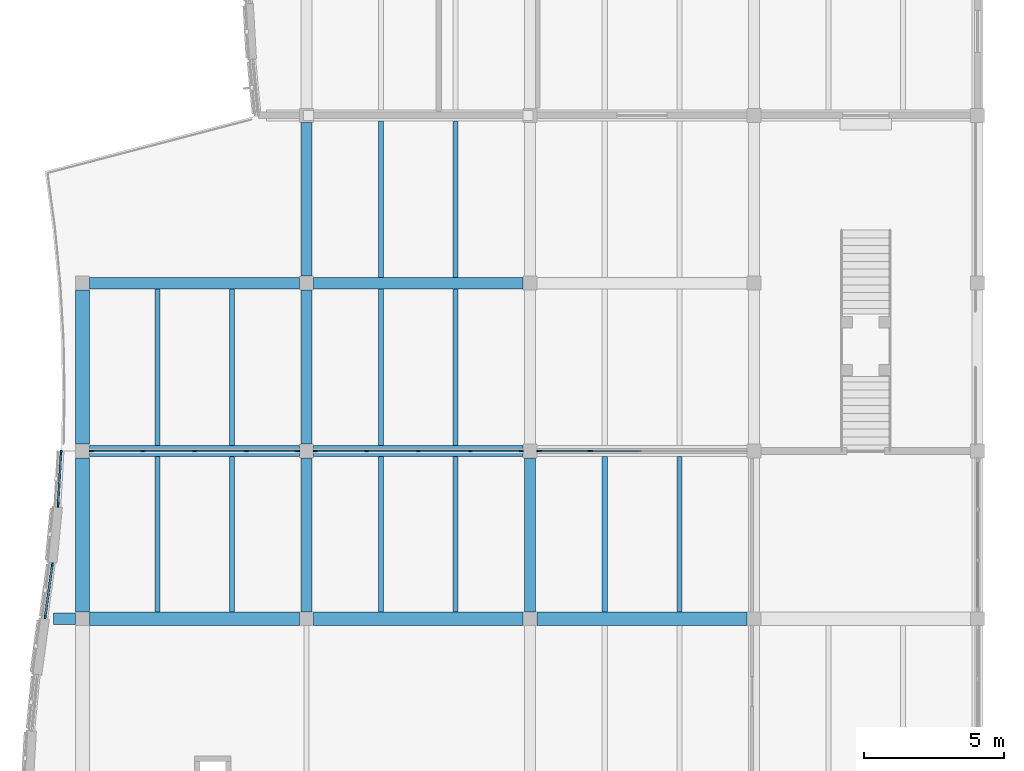
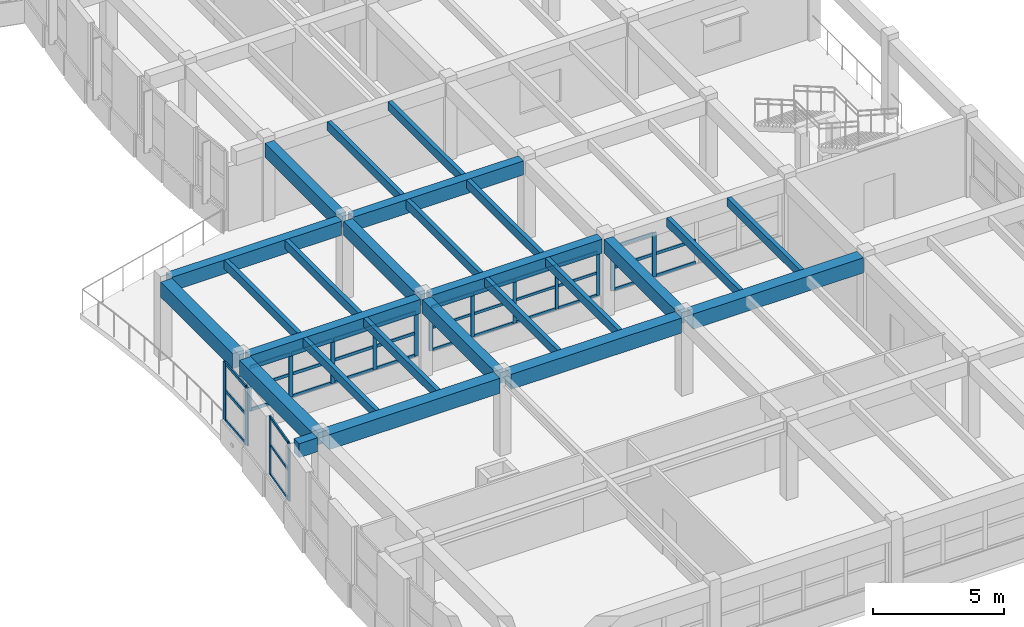
# One storey, part 6 of 89: 51 members, 26 beams, 5 elements without a shape of their own.
"""IFC4 building model written with IfcOpenShell, lengths in metres."""

from ifc_helpers import new_model, si_unit, direction, frame, origin, origin_2d, place, context, subcontext, project, spatial, rectangle, extrude, material, layer, layer_set, material_profile, profile_set, type_object, element, aggregate, save


model = new_model("IFC4")

# Units and contexts
model_context = context("Model", 3, precision=1e-05, world=origin(), true_north=direction((0.0, 1.0)))
body_context = subcontext(model_context, "Body", "Model", "MODEL_VIEW")
ifc_project = project(units=[si_unit("LENGTHUNIT", "METRE"), si_unit("AREAUNIT", "SQUARE_METRE"), si_unit("VOLUMEUNIT", "CUBIC_METRE"), si_unit("PLANEANGLEUNIT", "RADIAN"), si_unit("MASSUNIT", "GRAM", prefix="KILO")], contexts=[model_context])

# Site, building, storey
site_placement = place(None, origin())
site = spatial("IfcSite", under=ifc_project, at=site_placement, CompositionType="ELEMENT")
building_placement = place(site_placement, origin())
building = spatial("IfcBuilding", under=site, at=building_placement, Name="Tonlespit Floodbar School", CompositionType="ELEMENT")
storey_placement = place(building_placement, frame((0.0, 0.0, 4.5)))
storey = spatial("IfcBuildingStorey", under=building, at=storey_placement, Name="L01", CompositionType="ELEMENT", Elevation=4.5)

# Beams
ifc_material_1 = material(Name="Concrete C40/50", Category="concrete")
ifc_material_profile_1 = material_profile(ifc_material_1, rectangle(XDim=0.39990234375, YDim=0.64990234375, at=origin_2d()), Name="RC 400x650")
ifc_profile_set_1 = profile_set([ifc_material_profile_1], Name="Concrete C40/50")
beam_type_1 = type_object("IfcBeamType", Name="Beam_RC_400x650", PredefinedType="BEAM", material=ifc_profile_set_1)
for number, where, z_axis, x_axis, name in (
    (1, (4.25, 26.0, 3.324951171875), (1.0, 0.0, 0.0), (0.0, 1.0, 0.0), "L01 girder 0556"),
    (2, (12.25, 26.0, 3.324951171875), (1.0, 0.0, 0.0), (0.0, 1.0, 0.0), "L01 girder 0557"),
    (3, (4.25, 32.0, 3.324951171875), (1.0, 0.0, 0.0), (0.0, 1.0, 0.0), "L01 girder 0559"),
    (4, (12.25, 32.0, 3.324951171875), (1.0, 0.0, 0.0), (0.0, 1.0, 0.0), "L01 girder 0560"),
):
    element("IfcBeam", number, at=place(storey_placement, frame(where, z_axis=z_axis, x_axis=x_axis)), inside=storey, type_object=beam_type_1, Name=name, PredefinedType="BEAM", context=body_context, shape_type="SweptSolid", body=[
        extrude(rectangle(XDim=0.39990234375, YDim=0.64990234375, at=origin_2d()), origin(), (0.0, 0.0, 1.0), 7.5),
    ])
for number, where, z_axis, x_axis, name in (
    (5, (12.0, 20.25, 3.324951171875), (0.0, 1.0, 0.0), (-1.0, 0.0, 0.0), "L01 girder 0676"),
    (6, (12.0, 26.25, 3.324951171875), (0.0, 1.0, 0.0), (-1.0, 0.0, 0.0), "L01 girder 0677"),
    (7, (12.0, 32.25, 3.324951171875), (0.0, 1.0, 0.0), (-1.0, 0.0, 0.0), "L01 girder 0678"),
    (8, (20.0, 20.25, 3.324951171875), (0.0, 1.0, 0.0), (-1.0, 0.0, 0.0), "L01 girder 0689"),
):
    element("IfcBeam", number, at=place(storey_placement, frame(where, z_axis=z_axis, x_axis=x_axis)), inside=storey, type_object=beam_type_1, Name=name, PredefinedType="BEAM", context=body_context, shape_type="SweptSolid", body=[
        extrude(rectangle(XDim=0.39990234375, YDim=0.64990234375, at=origin_2d()), origin(), (0.0, 0.0, 1.0), 5.5),
    ])
beam_placement = place(storey_placement, frame((3.75, 20.0, 3.324951171875), z_axis=(-1.0, 0.0, 0.0), x_axis=(0.0, -1.0, 0.0)))
element("IfcBeam", 9, at=beam_placement, inside=storey, type_object=beam_type_1, Name="L01 west street wave cantilever bracket", PredefinedType="BEAM", context=body_context, shape_type="SweptSolid", body=[
    extrude(rectangle(XDim=0.39990234375, YDim=0.64990234375, at=origin_2d()), origin(), (0.0, 0.0, 1.0), 0.800048828125),
])

# Curtain wall, members
ifc_material_2 = material(Name="Anodised Aluminium", Category="aluminium")
ifc_layer_1 = layer(ifc_material_2, 0.159912109375)
ifc_layer_set_1 = layer_set([ifc_layer_1], Name="Anodised Aluminium")
curtain_wall_type_1 = type_object("IfcCurtainWallType", Name="CurtainWall_1950x2700", PredefinedType="NOTDEFINED", material=ifc_layer_set_1)
curtain_wall_1_placement = place(storey_placement, origin())
curtain_wall_1 = element("IfcCurtainWall", 10, at=curtain_wall_1_placement, inside=storey, type_object=curtain_wall_type_1, Name="L01 unitised curtain wall 0516", PredefinedType="NOTDEFINED")
ifc_material_profile_2 = material_profile(ifc_material_2, rectangle(XDim=0.06494140625, YDim=0.14990234375, at=origin_2d()), Name="ALU M65x150")
ifc_profile_set_2 = profile_set([ifc_material_profile_2], Name="Anodised Aluminium")
member_type_1 = type_object("IfcMemberType", Name="CW_Mullion_65x150", PredefinedType="MULLION", material=ifc_profile_set_2)
member_1_placement = place(storey_placement, frame((2.65966796875, 20.07177734375, 0.949951171875), z_axis=(0.0, 0.0, 1.0), x_axis=(-0.990894096494, 0.134643564765, 0.0)))
member_1 = element("IfcMember", 11, at=member_1_placement, type_object=member_type_1, Name="CW-04 mullion 1", PredefinedType="MULLION", context=body_context, shape_type="SweptSolid", body=[
    extrude(rectangle(XDim=0.06494140625, YDim=0.14990234375, at=origin_2d()), origin(), (0.0, 0.0, 1.0), 2.699951171875),
])
member_2_placement = place(storey_placement, frame((2.912109375, 21.92822265625, 0.949951171875), z_axis=(0.0, 0.0, 1.0), x_axis=(-0.990894096494, 0.134643564765, 0.0)))
member_2 = element("IfcMember", 12, at=member_2_placement, type_object=member_type_1, Name="CW-04 mullion 2", PredefinedType="MULLION", context=body_context, shape_type="SweptSolid", body=[
    extrude(rectangle(XDim=0.06494140625, YDim=0.14990234375, at=origin_2d()), origin(), (0.0, 0.0, 1.0), 2.699951171875),
])

ifc_layer_2 = layer(ifc_material_2, 0.159912109375)
ifc_layer_set_2 = layer_set([ifc_layer_2], Name="Anodised Aluminium")
curtain_wall_type_2 = type_object("IfcCurtainWallType", Name="CurtainWall_7400x2050", PredefinedType="NOTDEFINED", material=ifc_layer_set_2)
curtain_wall_2_placement = place(storey_placement, origin())
curtain_wall_2 = element("IfcCurtainWall", 13, at=curtain_wall_2_placement, inside=storey, type_object=curtain_wall_type_2, Name="L01 unitised curtain wall 0526", PredefinedType="NOTDEFINED")
member_3_placement = place(storey_placement, frame((12.322509765625, 26.0, 0.949951171875), z_axis=(0.0, 0.0, 1.0), x_axis=(0.0, 1.0, 0.0)))
member_3 = element("IfcMember", 14, at=member_3_placement, type_object=member_type_1, Name="CW-36 mullion 1", PredefinedType="MULLION", context=body_context, shape_type="SweptSolid", body=[
    extrude(rectangle(XDim=0.06494140625, YDim=0.14990234375, at=origin_2d()), origin(), (0.0, 0.0, 1.0), 2.050048828125),
])
member_4_placement = place(storey_placement, frame((14.14501953125, 26.0, 0.949951171875), z_axis=(0.0, 0.0, 1.0), x_axis=(0.0, 1.0, 0.0)))
member_4 = element("IfcMember", 15, at=member_4_placement, type_object=member_type_1, Name="CW-36 mullion 2", PredefinedType="MULLION", context=body_context, shape_type="SweptSolid", body=[
    extrude(rectangle(XDim=0.06494140625, YDim=0.14990234375, at=origin_2d()), origin(), (0.0, 0.0, 1.0), 2.050048828125),
])
member_5_placement = place(storey_placement, frame((16.0, 26.0, 0.949951171875), z_axis=(0.0, 0.0, 1.0), x_axis=(0.0, 1.0, 0.0)))
member_5 = element("IfcMember", 16, at=member_5_placement, type_object=member_type_1, Name="CW-36 mullion 3", PredefinedType="MULLION", context=body_context, shape_type="SweptSolid", body=[
    extrude(rectangle(XDim=0.06494140625, YDim=0.14990234375, at=origin_2d()), origin(), (0.0, 0.0, 1.0), 2.050048828125),
])
member_6_placement = place(storey_placement, frame((17.85498046875, 26.0, 0.949951171875), z_axis=(0.0, 0.0, 1.0), x_axis=(0.0, 1.0, 0.0)))
member_6 = element("IfcMember", 17, at=member_6_placement, type_object=member_type_1, Name="CW-36 mullion 4", PredefinedType="MULLION", context=body_context, shape_type="SweptSolid", body=[
    extrude(rectangle(XDim=0.06494140625, YDim=0.14990234375, at=origin_2d()), origin(), (0.0, 0.0, 1.0), 2.050048828125),
])
member_7_placement = place(storey_placement, frame((19.677490234375, 26.0, 0.949951171875), z_axis=(0.0, 0.0, 1.0), x_axis=(0.0, 1.0, 0.0)))
member_7 = element("IfcMember", 18, at=member_7_placement, type_object=member_type_1, Name="CW-36 mullion 5", PredefinedType="MULLION", context=body_context, shape_type="SweptSolid", body=[
    extrude(rectangle(XDim=0.06494140625, YDim=0.14990234375, at=origin_2d()), origin(), (0.0, 0.0, 1.0), 2.050048828125),
])

ifc_layer_3 = layer(ifc_material_2, 0.159912109375)
ifc_layer_set_3 = layer_set([ifc_layer_3], Name="Anodised Aluminium")
curtain_wall_type_3 = type_object("IfcCurtainWallType", Name="CurtainWall_1900x2700", PredefinedType="NOTDEFINED", material=ifc_layer_set_3)
curtain_wall_3_placement = place(storey_placement, origin())
curtain_wall_3 = element("IfcCurtainWall", 19, at=curtain_wall_3_placement, inside=storey, type_object=curtain_wall_type_3, Name="L01 unitised curtain wall 0517", PredefinedType="NOTDEFINED")
ifc_material_profile_3 = material_profile(ifc_material_2, rectangle(XDim=0.06494140625, YDim=0.179931640625, at=origin_2d()), Name="ALU M65x180")
ifc_profile_set_3 = profile_set([ifc_material_profile_3], Name="Anodised Aluminium")
member_type_2 = type_object("IfcMemberType", Name="CW_Mullion_65x180", PredefinedType="MULLION", material=ifc_profile_set_3)
member_8_placement = place(storey_placement, frame((3.119140625, 24.072265625, 0.949951171875), z_axis=(0.0, 0.0, 1.0), x_axis=(-0.998333381227, 0.057710137129, 0.0)))
member_8 = element("IfcMember", 20, at=member_8_placement, type_object=member_type_2, Name="CW-05 mullion 1", PredefinedType="MULLION", context=body_context, shape_type="SweptSolid", body=[
    extrude(rectangle(XDim=0.06494140625, YDim=0.179931640625, at=origin_2d()), origin(), (0.0, 0.0, 1.0), 2.699951171875),
])
member_9_placement = place(storey_placement, frame((3.226318359375, 25.927734375, 0.949951171875), z_axis=(0.0, 0.0, 1.0), x_axis=(-0.998333381227, 0.057710137129, 0.0)))
member_9 = element("IfcMember", 21, at=member_9_placement, type_object=member_type_2, Name="CW-05 mullion 2", PredefinedType="MULLION", context=body_context, shape_type="SweptSolid", body=[
    extrude(rectangle(XDim=0.06494140625, YDim=0.179931640625, at=origin_2d()), origin(), (0.0, 0.0, 1.0), 2.699951171875),
])

curtain_wall_4_placement = place(storey_placement, origin())
curtain_wall_4 = element("IfcCurtainWall", 22, at=curtain_wall_4_placement, inside=storey, type_object=curtain_wall_type_2, Name="L01 unitised curtain wall 0525", PredefinedType="NOTDEFINED")
member_10_placement = place(storey_placement, frame((4.322509765625, 26.0, 0.949951171875), z_axis=(0.0, 0.0, 1.0), x_axis=(0.0, 1.0, 0.0)))
member_10 = element("IfcMember", 23, at=member_10_placement, type_object=member_type_2, Name="CW-36 mullion 1", PredefinedType="MULLION", context=body_context, shape_type="SweptSolid", body=[
    extrude(rectangle(XDim=0.06494140625, YDim=0.179931640625, at=origin_2d()), origin(), (0.0, 0.0, 1.0), 2.050048828125),
])
member_11_placement = place(storey_placement, frame((6.14501953125, 26.0, 0.949951171875), z_axis=(0.0, 0.0, 1.0), x_axis=(0.0, 1.0, 0.0)))
member_11 = element("IfcMember", 24, at=member_11_placement, type_object=member_type_2, Name="CW-36 mullion 2", PredefinedType="MULLION", context=body_context, shape_type="SweptSolid", body=[
    extrude(rectangle(XDim=0.06494140625, YDim=0.179931640625, at=origin_2d()), origin(), (0.0, 0.0, 1.0), 2.050048828125),
])
member_12_placement = place(storey_placement, frame((8.0, 26.0, 0.949951171875), z_axis=(0.0, 0.0, 1.0), x_axis=(0.0, 1.0, 0.0)))
member_12 = element("IfcMember", 25, at=member_12_placement, type_object=member_type_2, Name="CW-36 mullion 3", PredefinedType="MULLION", context=body_context, shape_type="SweptSolid", body=[
    extrude(rectangle(XDim=0.06494140625, YDim=0.179931640625, at=origin_2d()), origin(), (0.0, 0.0, 1.0), 2.050048828125),
])
member_13_placement = place(storey_placement, frame((9.85498046875, 26.0, 0.949951171875), z_axis=(0.0, 0.0, 1.0), x_axis=(0.0, 1.0, 0.0)))
member_13 = element("IfcMember", 26, at=member_13_placement, type_object=member_type_2, Name="CW-36 mullion 4", PredefinedType="MULLION", context=body_context, shape_type="SweptSolid", body=[
    extrude(rectangle(XDim=0.06494140625, YDim=0.179931640625, at=origin_2d()), origin(), (0.0, 0.0, 1.0), 2.050048828125),
])
member_14_placement = place(storey_placement, frame((11.677490234375, 26.0, 0.949951171875), z_axis=(0.0, 0.0, 1.0), x_axis=(0.0, 1.0, 0.0)))
member_14 = element("IfcMember", 27, at=member_14_placement, type_object=member_type_2, Name="CW-36 mullion 5", PredefinedType="MULLION", context=body_context, shape_type="SweptSolid", body=[
    extrude(rectangle(XDim=0.06494140625, YDim=0.179931640625, at=origin_2d()), origin(), (0.0, 0.0, 1.0), 2.050048828125),
])

curtain_wall_5_placement = place(storey_placement, origin())
curtain_wall_5 = element("IfcCurtainWall", 28, at=curtain_wall_5_placement, inside=storey, type_object=curtain_wall_type_2, Name="L01 unitised curtain wall 0527", PredefinedType="NOTDEFINED")
member_15_placement = place(storey_placement, frame((20.322509765625, 26.0, 0.949951171875), z_axis=(0.0, 0.0, 1.0), x_axis=(0.0, 1.0, 0.0)))
member_15 = element("IfcMember", 29, at=member_15_placement, type_object=member_type_2, Name="CW-36 mullion 1", PredefinedType="MULLION", context=body_context, shape_type="SweptSolid", body=[
    extrude(rectangle(XDim=0.06494140625, YDim=0.179931640625, at=origin_2d()), origin(), (0.0, 0.0, 1.0), 2.048095703125),
])
member_16_placement = place(storey_placement, frame((22.14501953125, 26.0, 0.949951171875), z_axis=(0.0, 0.0, 1.0), x_axis=(0.0, 1.0, 0.0)))
member_16 = element("IfcMember", 30, at=member_16_placement, type_object=member_type_2, Name="CW-36 mullion 2", PredefinedType="MULLION", context=body_context, shape_type="SweptSolid", body=[
    extrude(rectangle(XDim=0.06494140625, YDim=0.179931640625, at=origin_2d()), origin(), (0.0, 0.0, 1.0), 2.048095703125),
])

# Member
ifc_material_profile_4 = material_profile(ifc_material_2, rectangle(XDim=0.06494140625, YDim=0.1201171875, at=origin_2d()), Name="ALU T65x120")
ifc_profile_set_4 = profile_set([ifc_material_profile_4], Name="Anodised Aluminium")
member_type_3 = type_object("IfcMemberType", Name="CW_Transom_65x120", PredefinedType="USERDEFINED", material=ifc_profile_set_4)
member_17_placement = place(storey_placement, frame((2.6640625, 20.10400390625, 0.982421875), z_axis=(0.134727643439, 0.990882668177, 0.0), x_axis=(-0.990882668177, 0.134727643439, 0.0)))
member_17 = element("IfcMember", 31, at=member_17_placement, type_object=member_type_3, Name="CW-04 transom 1.1", ObjectType="TRANSOM", PredefinedType="USERDEFINED", context=body_context, shape_type="SweptSolid", body=[
    extrude(rectangle(XDim=0.06494140625, YDim=0.1201171875, at=origin_2d()), origin(), (0.0, 0.0, 1.0), 1.80859375),
])

member_18_placement = place(storey_placement, frame((2.6640625, 20.10400390625, 2.35400390625), z_axis=(0.134727643439, 0.990882668177, 0.0), x_axis=(-0.990882668177, 0.134727643439, 0.0)))
member_18 = element("IfcMember", 32, at=member_18_placement, type_object=member_type_3, Name="CW-04 transom 1.2", ObjectType="TRANSOM", PredefinedType="USERDEFINED", context=body_context, shape_type="SweptSolid", body=[
    extrude(rectangle(XDim=0.06494140625, YDim=0.1201171875, at=origin_2d()), origin(), (0.0, 0.0, 1.0), 1.80859375),
])

member_19_placement = place(storey_placement, frame((2.6640625, 20.10400390625, 3.617431640625), z_axis=(0.134727643439, 0.990882668177, 0.0), x_axis=(-0.990882668177, 0.134727643439, 0.0)))
member_19 = element("IfcMember", 33, at=member_19_placement, type_object=member_type_3, Name="CW-04 transom 1.3", ObjectType="TRANSOM", PredefinedType="USERDEFINED", context=body_context, shape_type="SweptSolid", body=[
    extrude(rectangle(XDim=0.06494140625, YDim=0.1201171875, at=origin_2d()), origin(), (0.0, 0.0, 1.0), 1.80859375),
])

aggregate(curtain_wall_1, [member_1, member_2, member_17, member_18, member_19])

member_20_placement = place(storey_placement, frame((12.35498046875, 26.0, 0.982421875), z_axis=(1.0, 0.0, 0.0), x_axis=(0.0, 1.0, 0.0)))
member_20 = element("IfcMember", 34, at=member_20_placement, type_object=member_type_3, Name="CW-36 transom 1.1", ObjectType="TRANSOM", PredefinedType="USERDEFINED", context=body_context, shape_type="SweptSolid", body=[
    extrude(rectangle(XDim=0.06494140625, YDim=0.1201171875, at=origin_2d()), origin(), (0.0, 0.0, 1.0), 1.757568359375),
])

member_21_placement = place(storey_placement, frame((12.35498046875, 26.0, 2.01611328125), z_axis=(1.0, 0.0, 0.0), x_axis=(0.0, 1.0, 0.0)))
member_21 = element("IfcMember", 35, at=member_21_placement, type_object=member_type_3, Name="CW-36 transom 1.2", ObjectType="TRANSOM", PredefinedType="USERDEFINED", context=body_context, shape_type="SweptSolid", body=[
    extrude(rectangle(XDim=0.06494140625, YDim=0.1201171875, at=origin_2d()), origin(), (0.0, 0.0, 1.0), 1.757568359375),
])

member_22_placement = place(storey_placement, frame((12.35498046875, 26.0, 2.967529296875), z_axis=(1.0, 0.0, 0.0), x_axis=(0.0, 1.0, 0.0)))
member_22 = element("IfcMember", 36, at=member_22_placement, type_object=member_type_3, Name="CW-36 transom 1.3", ObjectType="TRANSOM", PredefinedType="USERDEFINED", context=body_context, shape_type="SweptSolid", body=[
    extrude(rectangle(XDim=0.06494140625, YDim=0.1201171875, at=origin_2d()), origin(), (0.0, 0.0, 1.0), 1.757568359375),
])

member_23_placement = place(storey_placement, frame((14.177490234375, 26.0, 0.982421875), z_axis=(1.0, 0.0, 0.0), x_axis=(0.0, 1.0, 0.0)))
member_23 = element("IfcMember", 37, at=member_23_placement, type_object=member_type_3, Name="CW-36 transom 2.1", ObjectType="TRANSOM", PredefinedType="USERDEFINED", context=body_context, shape_type="SweptSolid", body=[
    extrude(rectangle(XDim=0.06494140625, YDim=0.1201171875, at=origin_2d()), origin(), (0.0, 0.0, 1.0), 1.7900390625),
])

member_24_placement = place(storey_placement, frame((14.177490234375, 26.0, 2.01611328125), z_axis=(1.0, 0.0, 0.0), x_axis=(0.0, 1.0, 0.0)))
member_24 = element("IfcMember", 38, at=member_24_placement, type_object=member_type_3, Name="CW-36 transom 2.2", ObjectType="TRANSOM", PredefinedType="USERDEFINED", context=body_context, shape_type="SweptSolid", body=[
    extrude(rectangle(XDim=0.06494140625, YDim=0.1201171875, at=origin_2d()), origin(), (0.0, 0.0, 1.0), 1.7900390625),
])

member_25_placement = place(storey_placement, frame((14.177490234375, 26.0, 2.967529296875), z_axis=(1.0, 0.0, 0.0), x_axis=(0.0, 1.0, 0.0)))
member_25 = element("IfcMember", 39, at=member_25_placement, type_object=member_type_3, Name="CW-36 transom 2.3", ObjectType="TRANSOM", PredefinedType="USERDEFINED", context=body_context, shape_type="SweptSolid", body=[
    extrude(rectangle(XDim=0.06494140625, YDim=0.1201171875, at=origin_2d()), origin(), (0.0, 0.0, 1.0), 1.7900390625),
])

member_26_placement = place(storey_placement, frame((16.032470703125, 26.0, 0.982421875), z_axis=(1.0, 0.0, 0.0), x_axis=(0.0, 1.0, 0.0)))
member_26 = element("IfcMember", 40, at=member_26_placement, type_object=member_type_3, Name="CW-36 transom 3.1", ObjectType="TRANSOM", PredefinedType="USERDEFINED", context=body_context, shape_type="SweptSolid", body=[
    extrude(rectangle(XDim=0.06494140625, YDim=0.1201171875, at=origin_2d()), origin(), (0.0, 0.0, 1.0), 1.7900390625),
])

member_27_placement = place(storey_placement, frame((16.032470703125, 26.0, 2.01611328125), z_axis=(1.0, 0.0, 0.0), x_axis=(0.0, 1.0, 0.0)))
member_27 = element("IfcMember", 41, at=member_27_placement, type_object=member_type_3, Name="CW-36 transom 3.2", ObjectType="TRANSOM", PredefinedType="USERDEFINED", context=body_context, shape_type="SweptSolid", body=[
    extrude(rectangle(XDim=0.06494140625, YDim=0.1201171875, at=origin_2d()), origin(), (0.0, 0.0, 1.0), 1.7900390625),
])

member_28_placement = place(storey_placement, frame((16.032470703125, 26.0, 2.967529296875), z_axis=(1.0, 0.0, 0.0), x_axis=(0.0, 1.0, 0.0)))
member_28 = element("IfcMember", 42, at=member_28_placement, type_object=member_type_3, Name="CW-36 transom 3.3", ObjectType="TRANSOM", PredefinedType="USERDEFINED", context=body_context, shape_type="SweptSolid", body=[
    extrude(rectangle(XDim=0.06494140625, YDim=0.1201171875, at=origin_2d()), origin(), (0.0, 0.0, 1.0), 1.7900390625),
])

member_29_placement = place(storey_placement, frame((17.887451171875, 26.0, 0.982421875), z_axis=(1.0, 0.0, 0.0), x_axis=(0.0, 1.0, 0.0)))
member_29 = element("IfcMember", 43, at=member_29_placement, type_object=member_type_3, Name="CW-36 transom 4.1", ObjectType="TRANSOM", PredefinedType="USERDEFINED", context=body_context, shape_type="SweptSolid", body=[
    extrude(rectangle(XDim=0.06494140625, YDim=0.1201171875, at=origin_2d()), origin(), (0.0, 0.0, 1.0), 1.757568359375),
])

member_30_placement = place(storey_placement, frame((17.887451171875, 26.0, 2.01611328125), z_axis=(1.0, 0.0, 0.0), x_axis=(0.0, 1.0, 0.0)))
member_30 = element("IfcMember", 44, at=member_30_placement, type_object=member_type_3, Name="CW-36 transom 4.2", ObjectType="TRANSOM", PredefinedType="USERDEFINED", context=body_context, shape_type="SweptSolid", body=[
    extrude(rectangle(XDim=0.06494140625, YDim=0.1201171875, at=origin_2d()), origin(), (0.0, 0.0, 1.0), 1.757568359375),
])

member_31_placement = place(storey_placement, frame((17.887451171875, 26.0, 2.967529296875), z_axis=(1.0, 0.0, 0.0), x_axis=(0.0, 1.0, 0.0)))
member_31 = element("IfcMember", 45, at=member_31_placement, type_object=member_type_3, Name="CW-36 transom 4.3", ObjectType="TRANSOM", PredefinedType="USERDEFINED", context=body_context, shape_type="SweptSolid", body=[
    extrude(rectangle(XDim=0.06494140625, YDim=0.1201171875, at=origin_2d()), origin(), (0.0, 0.0, 1.0), 1.757568359375),
])

aggregate(curtain_wall_2, [member_3, member_4, member_5, member_6, member_7, member_20, member_21, member_22, member_23, member_24, member_25, member_26, member_27, member_28, member_29, member_30, member_31])

ifc_material_profile_5 = material_profile(ifc_material_2, rectangle(XDim=0.06494140625, YDim=0.139892578125, at=origin_2d()), Name="ALU T65x140")
ifc_profile_set_5 = profile_set([ifc_material_profile_5], Name="Anodised Aluminium")
member_type_4 = type_object("IfcMemberType", Name="CW_Transom_65x140", PredefinedType="USERDEFINED", material=ifc_profile_set_5)
member_32_placement = place(storey_placement, frame((3.12109375, 24.104736328125, 0.982421875), z_axis=(0.057716552548, 0.998333010354, 0.0), x_axis=(-0.998333010354, 0.057716552548, 0.0)))
member_32 = element("IfcMember", 46, at=member_32_placement, type_object=member_type_4, Name="CW-05 transom 1.1", ObjectType="TRANSOM", PredefinedType="USERDEFINED", context=body_context, shape_type="SweptSolid", body=[
    extrude(rectangle(XDim=0.06494140625, YDim=0.139892578125, at=origin_2d()), origin(), (0.0, 0.0, 1.0), 1.79345703125),
])

member_33_placement = place(storey_placement, frame((3.12109375, 24.104736328125, 2.35400390625), z_axis=(0.057716552548, 0.998333010354, 0.0), x_axis=(-0.998333010354, 0.057716552548, 0.0)))
member_33 = element("IfcMember", 47, at=member_33_placement, type_object=member_type_4, Name="CW-05 transom 1.2", ObjectType="TRANSOM", PredefinedType="USERDEFINED", context=body_context, shape_type="SweptSolid", body=[
    extrude(rectangle(XDim=0.06494140625, YDim=0.139892578125, at=origin_2d()), origin(), (0.0, 0.0, 1.0), 1.79345703125),
])

member_34_placement = place(storey_placement, frame((3.12109375, 24.104736328125, 3.617431640625), z_axis=(0.057716552548, 0.998333010354, 0.0), x_axis=(-0.998333010354, 0.057716552548, 0.0)))
member_34 = element("IfcMember", 48, at=member_34_placement, type_object=member_type_4, Name="CW-05 transom 1.3", ObjectType="TRANSOM", PredefinedType="USERDEFINED", context=body_context, shape_type="SweptSolid", body=[
    extrude(rectangle(XDim=0.06494140625, YDim=0.139892578125, at=origin_2d()), origin(), (0.0, 0.0, 1.0), 1.79345703125),
])

aggregate(curtain_wall_3, [member_8, member_9, member_32, member_33, member_34])

member_35_placement = place(storey_placement, frame((4.35498046875, 26.0, 0.982421875), z_axis=(1.0, 0.0, 0.0), x_axis=(0.0, 1.0, 0.0)))
member_35 = element("IfcMember", 49, at=member_35_placement, type_object=member_type_4, Name="CW-36 transom 1.1", ObjectType="TRANSOM", PredefinedType="USERDEFINED", context=body_context, shape_type="SweptSolid", body=[
    extrude(rectangle(XDim=0.06494140625, YDim=0.139892578125, at=origin_2d()), origin(), (0.0, 0.0, 1.0), 1.757568359375),
])

member_36_placement = place(storey_placement, frame((4.35498046875, 26.0, 2.01611328125), z_axis=(1.0, 0.0, 0.0), x_axis=(0.0, 1.0, 0.0)))
member_36 = element("IfcMember", 50, at=member_36_placement, type_object=member_type_4, Name="CW-36 transom 1.2", ObjectType="TRANSOM", PredefinedType="USERDEFINED", context=body_context, shape_type="SweptSolid", body=[
    extrude(rectangle(XDim=0.06494140625, YDim=0.139892578125, at=origin_2d()), origin(), (0.0, 0.0, 1.0), 1.757568359375),
])

member_37_placement = place(storey_placement, frame((4.35498046875, 26.0, 2.967529296875), z_axis=(1.0, 0.0, 0.0), x_axis=(0.0, 1.0, 0.0)))
member_37 = element("IfcMember", 51, at=member_37_placement, type_object=member_type_4, Name="CW-36 transom 1.3", ObjectType="TRANSOM", PredefinedType="USERDEFINED", context=body_context, shape_type="SweptSolid", body=[
    extrude(rectangle(XDim=0.06494140625, YDim=0.139892578125, at=origin_2d()), origin(), (0.0, 0.0, 1.0), 1.757568359375),
])

member_38_placement = place(storey_placement, frame((6.177490234375, 26.0, 0.982421875), z_axis=(1.0, 0.0, 0.0), x_axis=(0.0, 1.0, 0.0)))
member_38 = element("IfcMember", 52, at=member_38_placement, type_object=member_type_4, Name="CW-36 transom 2.1", ObjectType="TRANSOM", PredefinedType="USERDEFINED", context=body_context, shape_type="SweptSolid", body=[
    extrude(rectangle(XDim=0.06494140625, YDim=0.139892578125, at=origin_2d()), origin(), (0.0, 0.0, 1.0), 1.7900390625),
])

member_39_placement = place(storey_placement, frame((6.177490234375, 26.0, 2.01611328125), z_axis=(1.0, 0.0, 0.0), x_axis=(0.0, 1.0, 0.0)))
member_39 = element("IfcMember", 53, at=member_39_placement, type_object=member_type_4, Name="CW-36 transom 2.2", ObjectType="TRANSOM", PredefinedType="USERDEFINED", context=body_context, shape_type="SweptSolid", body=[
    extrude(rectangle(XDim=0.06494140625, YDim=0.139892578125, at=origin_2d()), origin(), (0.0, 0.0, 1.0), 1.7900390625),
])

member_40_placement = place(storey_placement, frame((6.177490234375, 26.0, 2.967529296875), z_axis=(1.0, 0.0, 0.0), x_axis=(0.0, 1.0, 0.0)))
member_40 = element("IfcMember", 54, at=member_40_placement, type_object=member_type_4, Name="CW-36 transom 2.3", ObjectType="TRANSOM", PredefinedType="USERDEFINED", context=body_context, shape_type="SweptSolid", body=[
    extrude(rectangle(XDim=0.06494140625, YDim=0.139892578125, at=origin_2d()), origin(), (0.0, 0.0, 1.0), 1.7900390625),
])

member_41_placement = place(storey_placement, frame((8.032470703125, 26.0, 0.982421875), z_axis=(1.0, 0.0, 0.0), x_axis=(0.0, 1.0, 0.0)))
member_41 = element("IfcMember", 55, at=member_41_placement, type_object=member_type_4, Name="CW-36 transom 3.1", ObjectType="TRANSOM", PredefinedType="USERDEFINED", context=body_context, shape_type="SweptSolid", body=[
    extrude(rectangle(XDim=0.06494140625, YDim=0.139892578125, at=origin_2d()), origin(), (0.0, 0.0, 1.0), 1.7900390625),
])

member_42_placement = place(storey_placement, frame((8.032470703125, 26.0, 2.01611328125), z_axis=(1.0, 0.0, 0.0), x_axis=(0.0, 1.0, 0.0)))
member_42 = element("IfcMember", 56, at=member_42_placement, type_object=member_type_4, Name="CW-36 transom 3.2", ObjectType="TRANSOM", PredefinedType="USERDEFINED", context=body_context, shape_type="SweptSolid", body=[
    extrude(rectangle(XDim=0.06494140625, YDim=0.139892578125, at=origin_2d()), origin(), (0.0, 0.0, 1.0), 1.7900390625),
])

member_43_placement = place(storey_placement, frame((8.032470703125, 26.0, 2.967529296875), z_axis=(1.0, 0.0, 0.0), x_axis=(0.0, 1.0, 0.0)))
member_43 = element("IfcMember", 57, at=member_43_placement, type_object=member_type_4, Name="CW-36 transom 3.3", ObjectType="TRANSOM", PredefinedType="USERDEFINED", context=body_context, shape_type="SweptSolid", body=[
    extrude(rectangle(XDim=0.06494140625, YDim=0.139892578125, at=origin_2d()), origin(), (0.0, 0.0, 1.0), 1.7900390625),
])

member_44_placement = place(storey_placement, frame((9.887451171875, 26.0, 0.982421875), z_axis=(1.0, 0.0, 0.0), x_axis=(0.0, 1.0, 0.0)))
member_44 = element("IfcMember", 58, at=member_44_placement, type_object=member_type_4, Name="CW-36 transom 4.1", ObjectType="TRANSOM", PredefinedType="USERDEFINED", context=body_context, shape_type="SweptSolid", body=[
    extrude(rectangle(XDim=0.06494140625, YDim=0.139892578125, at=origin_2d()), origin(), (0.0, 0.0, 1.0), 1.757568359375),
])

member_45_placement = place(storey_placement, frame((9.887451171875, 26.0, 2.01611328125), z_axis=(1.0, 0.0, 0.0), x_axis=(0.0, 1.0, 0.0)))
member_45 = element("IfcMember", 59, at=member_45_placement, type_object=member_type_4, Name="CW-36 transom 4.2", ObjectType="TRANSOM", PredefinedType="USERDEFINED", context=body_context, shape_type="SweptSolid", body=[
    extrude(rectangle(XDim=0.06494140625, YDim=0.139892578125, at=origin_2d()), origin(), (0.0, 0.0, 1.0), 1.757568359375),
])

member_46_placement = place(storey_placement, frame((9.887451171875, 26.0, 2.967529296875), z_axis=(1.0, 0.0, 0.0), x_axis=(0.0, 1.0, 0.0)))
member_46 = element("IfcMember", 60, at=member_46_placement, type_object=member_type_4, Name="CW-36 transom 4.3", ObjectType="TRANSOM", PredefinedType="USERDEFINED", context=body_context, shape_type="SweptSolid", body=[
    extrude(rectangle(XDim=0.06494140625, YDim=0.139892578125, at=origin_2d()), origin(), (0.0, 0.0, 1.0), 1.757568359375),
])

aggregate(curtain_wall_4, [member_10, member_11, member_12, member_13, member_14, member_35, member_36, member_37, member_38, member_39, member_40, member_41, member_42, member_43, member_44, member_45, member_46])

member_47_placement = place(storey_placement, frame((20.35498046875, 26.0, 0.982421875), z_axis=(1.0, 0.0, 0.0), x_axis=(0.0, 1.0, 0.0)))
member_47 = element("IfcMember", 61, at=member_47_placement, type_object=member_type_4, Name="CW-36 transom 1.1", ObjectType="TRANSOM", PredefinedType="USERDEFINED", context=body_context, shape_type="SweptSolid", body=[
    extrude(rectangle(XDim=0.06494140625, YDim=0.139892578125, at=origin_2d()), origin(), (0.0, 0.0, 1.0), 1.757568359375),
])

member_48_placement = place(storey_placement, frame((20.35498046875, 26.0, 2.014892578125), z_axis=(1.0, 0.0, 0.0), x_axis=(0.0, 1.0, 0.0)))
member_48 = element("IfcMember", 62, at=member_48_placement, type_object=member_type_4, Name="CW-36 transom 1.2", ObjectType="TRANSOM", PredefinedType="USERDEFINED", context=body_context, shape_type="SweptSolid", body=[
    extrude(rectangle(XDim=0.06494140625, YDim=0.139892578125, at=origin_2d()), origin(), (0.0, 0.0, 1.0), 1.757568359375),
])

member_49_placement = place(storey_placement, frame((20.35498046875, 26.0, 2.965576171875), z_axis=(1.0, 0.0, 0.0), x_axis=(0.0, 1.0, 0.0)))
member_49 = element("IfcMember", 63, at=member_49_placement, type_object=member_type_4, Name="CW-36 transom 1.3", ObjectType="TRANSOM", PredefinedType="USERDEFINED", context=body_context, shape_type="SweptSolid", body=[
    extrude(rectangle(XDim=0.06494140625, YDim=0.139892578125, at=origin_2d()), origin(), (0.0, 0.0, 1.0), 1.757568359375),
])

member_50_placement = place(storey_placement, frame((22.177490234375, 26.0, 0.982421875), z_axis=(1.0, 0.0, 0.0), x_axis=(0.0, 1.0, 0.0)))
member_50 = element("IfcMember", 64, at=member_50_placement, type_object=member_type_4, Name="CW-36 transom 2.1", ObjectType="TRANSOM", PredefinedType="USERDEFINED", context=body_context, shape_type="SweptSolid", body=[
    extrude(rectangle(XDim=0.06494140625, YDim=0.139892578125, at=origin_2d()), origin(), (0.0, 0.0, 1.0), 1.7900390625),
])

member_51_placement = place(storey_placement, frame((22.177490234375, 26.0, 2.014892578125), z_axis=(1.0, 0.0, 0.0), x_axis=(0.0, 1.0, 0.0)))
member_51 = element("IfcMember", 65, at=member_51_placement, type_object=member_type_4, Name="CW-36 transom 2.2", ObjectType="TRANSOM", PredefinedType="USERDEFINED", context=body_context, shape_type="SweptSolid", body=[
    extrude(rectangle(XDim=0.06494140625, YDim=0.139892578125, at=origin_2d()), origin(), (0.0, 0.0, 1.0), 1.7900390625),
])

aggregate(curtain_wall_5, [member_15, member_16, member_47, member_48, member_49, member_50, member_51])

# Beams
ifc_material_3 = material(Name="Glulam GL28h", Category="wood")
ifc_material_profile_6 = material_profile(ifc_material_3, rectangle(XDim=0.179931640625, YDim=0.39990234375, at=origin_2d()), Name="GL 180x400")
ifc_profile_set_6 = profile_set([ifc_material_profile_6], Name="Glulam GL28h")
beam_type_2 = type_object("IfcBeamType", Name="Joist_GL_180x400", PredefinedType="JOIST", material=ifc_profile_set_6)
for number, where, z_axis, x_axis, name in (
    (66, (6.666748046875, 20.25, 3.449951171875), (0.0, 1.0, 0.0), (-1.0, 0.0, 0.0), "L01 secondary joist 0802"),
    (67, (9.333251953125, 20.25, 3.449951171875), (0.0, 1.0, 0.0), (-1.0, 0.0, 0.0), "L01 secondary joist 0803"),
    (68, (14.666748046875, 20.25, 3.449951171875), (0.0, 1.0, 0.0), (-1.0, 0.0, 0.0), "L01 secondary joist 0804"),
    (69, (17.333251953125, 20.25, 3.449951171875), (0.0, 1.0, 0.0), (-1.0, 0.0, 0.0), "L01 secondary joist 0805"),
    (70, (22.666748046875, 20.25, 3.449951171875), (0.0, 1.0, 0.0), (-1.0, 0.0, 0.0), "L01 secondary joist 0806"),
    (71, (25.333251953125, 20.25, 3.449951171875), (0.0, 1.0, 0.0), (-1.0, 0.0, 0.0), "L01 secondary joist 0807"),
):
    element("IfcBeam", number, at=place(storey_placement, frame(where, z_axis=z_axis, x_axis=x_axis)), inside=storey, type_object=beam_type_2, Name=name, PredefinedType="JOIST", context=body_context, shape_type="SweptSolid", body=[
        extrude(rectangle(XDim=0.179931640625, YDim=0.39990234375, at=origin_2d()), origin(), (0.0, 0.0, 1.0), 5.550048828125),
    ])
for number, where, z_axis, x_axis, name in (
    (72, (6.666748046875, 26.199951171875, 3.449951171875), (0.0, 1.0, 0.0), (-1.0, 0.0, 0.0), "L01 secondary joist 0808"),
    (73, (9.333251953125, 26.199951171875, 3.449951171875), (0.0, 1.0, 0.0), (-1.0, 0.0, 0.0), "L01 secondary joist 0809"),
    (74, (14.666748046875, 26.199951171875, 3.449951171875), (0.0, 1.0, 0.0), (-1.0, 0.0, 0.0), "L01 secondary joist 0810"),
    (75, (17.333251953125, 26.199951171875, 3.449951171875), (0.0, 1.0, 0.0), (-1.0, 0.0, 0.0), "L01 secondary joist 0811"),
    (76, (14.666748046875, 32.199951171875, 3.449951171875), (0.0, 1.0, 0.0), (-1.0, 0.0, 0.0), "L01 secondary joist 0814"),
    (77, (17.333251953125, 32.199951171875, 3.449951171875), (0.0, 1.0, 0.0), (-1.0, 0.0, 0.0), "L01 secondary joist 0815"),
):
    element("IfcBeam", number, at=place(storey_placement, frame(where, z_axis=z_axis, x_axis=x_axis)), inside=storey, type_object=beam_type_2, Name=name, PredefinedType="JOIST", context=body_context, shape_type="SweptSolid", body=[
        extrude(rectangle(XDim=0.179931640625, YDim=0.39990234375, at=origin_2d()), origin(), (0.0, 0.0, 1.0), 5.60009765625),
    ])
ifc_material_profile_7 = material_profile(ifc_material_1, rectangle(XDim=0.5, YDim=0.699951171875, at=origin_2d()), Name="RC 500x700")
ifc_profile_set_7 = profile_set([ifc_material_profile_7], Name="Concrete C40/50")
beam_type_3 = type_object("IfcBeamType", Name="Spandrel_RC_500x700", PredefinedType="SPANDREL", material=ifc_profile_set_7)
for number, where, z_axis, x_axis, name in (
    (78, (4.25, 20.0, 3.300048828125), (1.0, 0.0, 0.0), (0.0, 1.0, 0.0), "L01 girder 0552"),
    (79, (12.25, 20.0, 3.300048828125), (1.0, 0.0, 0.0), (0.0, 1.0, 0.0), "L01 girder 0553"),
    (80, (20.25, 20.0, 3.300048828125), (1.0, 0.0, 0.0), (0.0, 1.0, 0.0), "L01 girder 0554"),
):
    element("IfcBeam", number, at=place(storey_placement, frame(where, z_axis=z_axis, x_axis=x_axis)), inside=storey, type_object=beam_type_3, Name=name, PredefinedType="SPANDREL", context=body_context, shape_type="SweptSolid", body=[
        extrude(rectangle(XDim=0.5, YDim=0.699951171875, at=origin_2d()), origin(), (0.0, 0.0, 1.0), 7.5),
    ])
for number, where, z_axis, x_axis, name in (
    (81, (4.0, 20.25, 3.300048828125), (0.0, 1.0, 0.0), (-1.0, 0.0, 0.0), "L01 girder 0673"),
    (82, (4.0, 26.25, 3.300048828125), (0.0, 1.0, 0.0), (-1.0, 0.0, 0.0), "L01 girder 0674"),
):
    element("IfcBeam", number, at=place(storey_placement, frame(where, z_axis=z_axis, x_axis=x_axis)), inside=storey, type_object=beam_type_3, Name=name, PredefinedType="SPANDREL", context=body_context, shape_type="SweptSolid", body=[
        extrude(rectangle(XDim=0.5, YDim=0.699951171875, at=origin_2d()), origin(), (0.0, 0.0, 1.0), 5.5),
    ])

save(model, "model.ifc")
